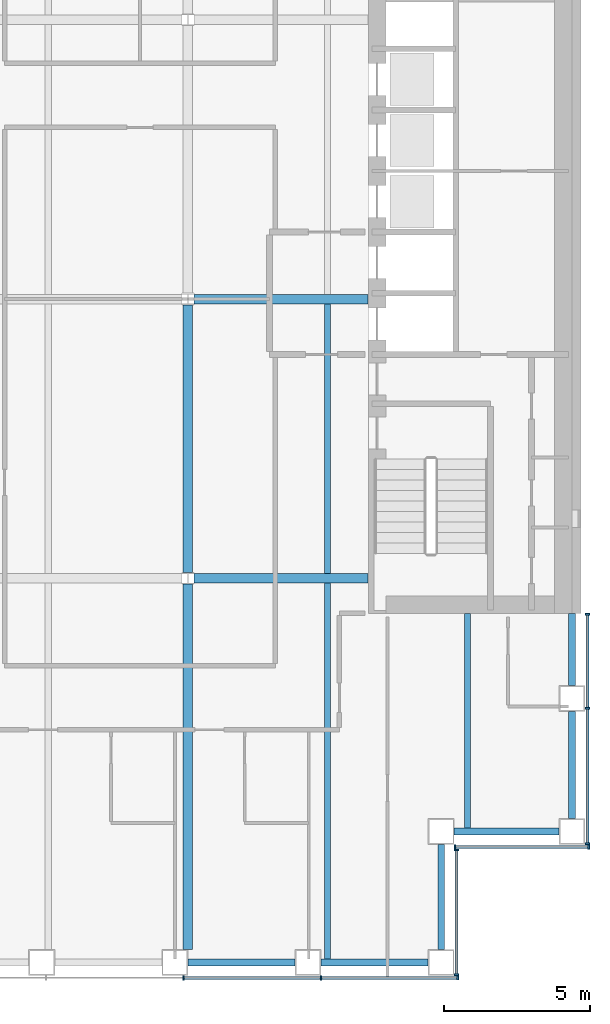
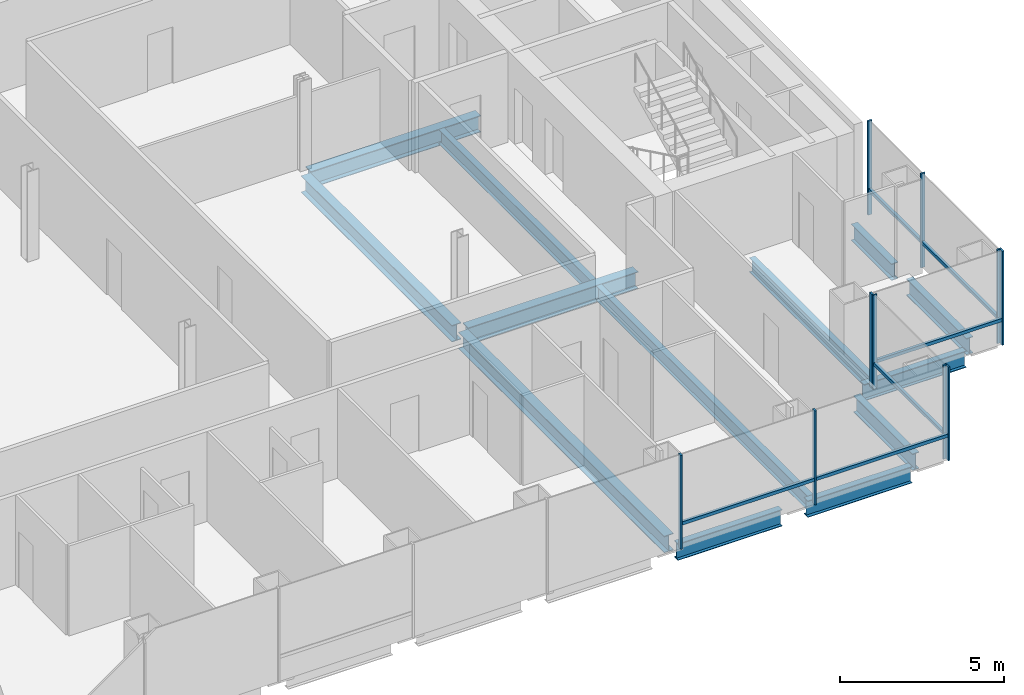
# One storey, part 4 of 16: 16 members, 13 beams, 4 elements without a shape of their own.
"""IFC4 building model written with IfcOpenShell, lengths in metres."""

from ifc_helpers import new_model, si_unit, direction, frame, origin, origin_2d, place, context, subcontext, project, spatial, rectangle, i_section, extrude, material, material_profile, profile_set, type_object, element, aggregate, save


model = new_model("IFC4")

# Units and contexts
model_context = context("Model", 3, precision=1e-05, world=origin(), true_north=direction((0.0, 1.0)))
body_context = subcontext(model_context, "Body", "Model", "MODEL_VIEW")
ifc_project = project(units=[si_unit("LENGTHUNIT", "METRE"), si_unit("AREAUNIT", "SQUARE_METRE"), si_unit("VOLUMEUNIT", "CUBIC_METRE"), si_unit("PLANEANGLEUNIT", "RADIAN"), si_unit("MASSUNIT", "GRAM", prefix="KILO")], contexts=[model_context])

# Site, building, storey
site_placement = place(None, origin())
site = spatial("IfcSite", under=ifc_project, at=site_placement, CompositionType="ELEMENT")
building_placement = place(site_placement, origin())
building = spatial("IfcBuilding", under=site, at=building_placement, Name="Cobrizo Arcos Hotel Tower", CompositionType="ELEMENT")
storey_placement = place(building_placement, frame((0.0, 0.0, 92.5)))
storey = spatial("IfcBuildingStorey", under=building, at=storey_placement, Name="L22", CompositionType="ELEMENT", Elevation=92.5)

# Curtain wall, members
ifc_material_1 = material(Name="Aluminium 6063-T6 anodised bronze", Category="aluminium")
curtain_wall_type = type_object("IfcCurtainWallType", Name="CW-A guest facade", PredefinedType="NOTDEFINED", material=ifc_material_1)
curtain_wall_1_placement = place(storey_placement, origin())
curtain_wall_1 = element("IfcCurtainWall", 1, at=curtain_wall_1_placement, inside=storey, type_object=curtain_wall_type, Name="CW-A L22 S face", PredefinedType="NOTDEFINED")
ifc_material_profile_1 = material_profile(ifc_material_1, rectangle(XDim=0.14990234375, YDim=0.06005859375, at=origin_2d()), Name="CW-A mullion 150x60")
ifc_profile_set_1 = profile_set([ifc_material_profile_1], Name="Aluminium 6063-T6 anodised bronze")
member_type_1 = type_object("IfcMemberType", Name="CW-A mullion 150x60", PredefinedType="MULLION", material=ifc_profile_set_1)
member_1_placement = place(storey_placement, frame((9.449951171875, -23.324951171875, 0.0), z_axis=(0.0, 0.0, 1.0), x_axis=(0.0, -1.0, 0.0)))
member_1 = element("IfcMember", 2, at=member_1_placement, type_object=member_type_1, Name="CW-A mullion 7", PredefinedType="MULLION", context=body_context, shape_type="SweptSolid", body=[
    extrude(rectangle(XDim=0.14990234375, YDim=0.06005859375, at=origin_2d()), origin(), (0.0, 0.0, 1.0), 3.5),
])
member_2_placement = place(storey_placement, frame((14.175048828125, -23.324951171875, 0.0), z_axis=(0.0, 0.0, 1.0), x_axis=(0.0, -1.0, 0.0)))
member_2 = element("IfcMember", 3, at=member_2_placement, type_object=member_type_1, Name="CW-A mullion 8", PredefinedType="MULLION", context=body_context, shape_type="SweptSolid", body=[
    extrude(rectangle(XDim=0.14990234375, YDim=0.06005859375, at=origin_2d()), origin(), (0.0, 0.0, 1.0), 3.5),
])
member_3_placement = place(storey_placement, frame((18.8701171875, -23.324951171875, 0.0), z_axis=(0.0, 0.0, 1.0), x_axis=(0.0, -1.0, 0.0)))
member_3 = element("IfcMember", 4, at=member_3_placement, type_object=member_type_1, Name="CW-A mullion 9", PredefinedType="MULLION", context=body_context, shape_type="SweptSolid", body=[
    extrude(rectangle(XDim=0.14990234375, YDim=0.06005859375, at=origin_2d()), origin(), (0.0, 0.0, 1.0), 3.5),
])

curtain_wall_2_placement = place(storey_placement, origin())
curtain_wall_2 = element("IfcCurtainWall", 5, at=curtain_wall_2_placement, inside=storey, type_object=curtain_wall_type, Name="CW-A L22 E face", PredefinedType="NOTDEFINED")
member_4_placement = place(storey_placement, frame((18.824951171875, -23.219970703125, 0.0), z_axis=(0.0, 0.0, 1.0), x_axis=(1.0, 0.0, 0.0)))
member_4 = element("IfcMember", 6, at=member_4_placement, type_object=member_type_1, Name="CW-A mullion 1", PredefinedType="MULLION", context=body_context, shape_type="SweptSolid", body=[
    extrude(rectangle(XDim=0.14990234375, YDim=0.06005859375, at=origin_2d()), origin(), (0.0, 0.0, 1.0), 3.5),
])
member_5_placement = place(storey_placement, frame((18.824951171875, -18.929931640625, 0.0), z_axis=(0.0, 0.0, 1.0), x_axis=(1.0, 0.0, 0.0)))
member_5 = element("IfcMember", 7, at=member_5_placement, type_object=member_type_1, Name="CW-A mullion 2", PredefinedType="MULLION", context=body_context, shape_type="SweptSolid", body=[
    extrude(rectangle(XDim=0.14990234375, YDim=0.06005859375, at=origin_2d()), origin(), (0.0, 0.0, 1.0), 3.5),
])

curtain_wall_3_placement = place(storey_placement, origin())
curtain_wall_3 = element("IfcCurtainWall", 8, at=curtain_wall_3_placement, inside=storey, type_object=curtain_wall_type, Name="CW-A L22 S face", PredefinedType="NOTDEFINED")
member_6_placement = place(storey_placement, frame((18.780029296875, -18.824951171875, 0.0), z_axis=(0.0, 0.0, 1.0), x_axis=(0.0, -1.0, 0.0)))
member_6 = element("IfcMember", 9, at=member_6_placement, type_object=member_type_1, Name="CW-A mullion 1", PredefinedType="MULLION", context=body_context, shape_type="SweptSolid", body=[
    extrude(rectangle(XDim=0.14990234375, YDim=0.06005859375, at=origin_2d()), origin(), (0.0, 0.0, 1.0), 3.5),
])
member_7_placement = place(storey_placement, frame((23.3701171875, -18.824951171875, 0.0), z_axis=(0.0, 0.0, 1.0), x_axis=(0.0, -1.0, 0.0)))
member_7 = element("IfcMember", 10, at=member_7_placement, type_object=member_type_1, Name="CW-A mullion 2", PredefinedType="MULLION", context=body_context, shape_type="SweptSolid", body=[
    extrude(rectangle(XDim=0.14990234375, YDim=0.06005859375, at=origin_2d()), origin(), (0.0, 0.0, 1.0), 3.5),
])

curtain_wall_4_placement = place(storey_placement, origin())
curtain_wall_4 = element("IfcCurtainWall", 11, at=curtain_wall_4_placement, inside=storey, type_object=curtain_wall_type, Name="CW-A L22 E face", PredefinedType="NOTDEFINED")
member_8_placement = place(storey_placement, frame((23.324951171875, -18.719970703125, 0.0), z_axis=(0.0, 0.0, 1.0), x_axis=(1.0, 0.0, 0.0)))
member_8 = element("IfcMember", 12, at=member_8_placement, type_object=member_type_1, Name="CW-A mullion 1", PredefinedType="MULLION", context=body_context, shape_type="SweptSolid", body=[
    extrude(rectangle(XDim=0.14990234375, YDim=0.06005859375, at=origin_2d()), origin(), (0.0, 0.0, 1.0), 3.5),
])
member_9_placement = place(storey_placement, frame((23.324951171875, -14.0625, 0.0), z_axis=(0.0, 0.0, 1.0), x_axis=(1.0, 0.0, 0.0)))
member_9 = element("IfcMember", 13, at=member_9_placement, type_object=member_type_1, Name="CW-A mullion 2", PredefinedType="MULLION", context=body_context, shape_type="SweptSolid", body=[
    extrude(rectangle(XDim=0.14990234375, YDim=0.06005859375, at=origin_2d()), origin(), (0.0, 0.0, 1.0), 3.5),
])
member_10_placement = place(storey_placement, frame((23.324951171875, -10.830078125, 0.0), z_axis=(0.0, 0.0, 1.0), x_axis=(1.0, 0.0, 0.0)))
member_10 = element("IfcMember", 14, at=member_10_placement, type_object=member_type_1, Name="CW-A mullion 3", PredefinedType="MULLION", context=body_context, shape_type="SweptSolid", body=[
    extrude(rectangle(XDim=0.14990234375, YDim=0.06005859375, at=origin_2d()), origin(), (0.0, 0.0, 1.0), 3.5),
])

# Member
ifc_material_profile_2 = material_profile(ifc_material_1, rectangle(XDim=0.10009765625, YDim=0.1201171875, at=origin_2d()), Name="CW-A transom 120x100")
ifc_profile_set_2 = profile_set([ifc_material_profile_2], Name="Aluminium 6063-T6 anodised bronze")
member_type_2 = type_object("IfcMemberType", Name="CW-A transom 120x100", PredefinedType="USERDEFINED", material=ifc_profile_set_2)
member_11_placement = place(storey_placement, frame((9.47998046875, -23.324951171875, 0.929931640625), z_axis=(1.0, 0.0, 0.0), x_axis=(0.0, 1.0, 0.0)))
member_11 = element("IfcMember", 15, at=member_11_placement, type_object=member_type_2, Name="CW-A transom 889", ObjectType="TRANSOM", PredefinedType="USERDEFINED", context=body_context, shape_type="SweptSolid", body=[
    extrude(rectangle(XDim=0.10009765625, YDim=0.1201171875, at=origin_2d()), origin(), (0.0, 0.0, 1.0), 4.6650390625),
])

member_12_placement = place(storey_placement, frame((14.205078125, -23.324951171875, 0.929931640625), z_axis=(1.0, 0.0, 0.0), x_axis=(0.0, 1.0, 0.0)))
member_12 = element("IfcMember", 16, at=member_12_placement, type_object=member_type_2, Name="CW-A transom 890", ObjectType="TRANSOM", PredefinedType="USERDEFINED", context=body_context, shape_type="SweptSolid", body=[
    extrude(rectangle(XDim=0.10009765625, YDim=0.1201171875, at=origin_2d()), origin(), (0.0, 0.0, 1.0), 4.635009765625),
])

aggregate(curtain_wall_1, [member_1, member_2, member_3, member_11, member_12])

member_13_placement = place(storey_placement, frame((18.824951171875, -23.18994140625, 0.929931640625), z_axis=(0.0, 1.0, 0.0), x_axis=(-1.0, 0.0, 0.0)))
member_13 = element("IfcMember", 17, at=member_13_placement, type_object=member_type_2, Name="CW-A transom 891", ObjectType="TRANSOM", PredefinedType="USERDEFINED", context=body_context, shape_type="SweptSolid", body=[
    extrude(rectangle(XDim=0.10009765625, YDim=0.1201171875, at=origin_2d()), origin(), (0.0, 0.0, 1.0), 4.22998046875),
])

aggregate(curtain_wall_2, [member_4, member_5, member_13])

member_14_placement = place(storey_placement, frame((18.81005859375, -18.824951171875, 0.929931640625), z_axis=(1.0, 0.0, 0.0), x_axis=(0.0, 1.0, 0.0)))
member_14 = element("IfcMember", 18, at=member_14_placement, type_object=member_type_2, Name="CW-A transom 892", ObjectType="TRANSOM", PredefinedType="USERDEFINED", context=body_context, shape_type="SweptSolid", body=[
    extrude(rectangle(XDim=0.10009765625, YDim=0.1201171875, at=origin_2d()), origin(), (0.0, 0.0, 1.0), 4.530029296875),
])

aggregate(curtain_wall_3, [member_6, member_7, member_14])

member_15_placement = place(storey_placement, frame((23.324951171875, -18.68994140625, 0.929931640625), z_axis=(0.0, 1.0, 0.0), x_axis=(-1.0, 0.0, 0.0)))
member_15 = element("IfcMember", 19, at=member_15_placement, type_object=member_type_2, Name="CW-A transom 893", ObjectType="TRANSOM", PredefinedType="USERDEFINED", context=body_context, shape_type="SweptSolid", body=[
    extrude(rectangle(XDim=0.10009765625, YDim=0.1201171875, at=origin_2d()), origin(), (0.0, 0.0, 1.0), 4.597412109375),
])

member_16_placement = place(storey_placement, frame((23.324951171875, -14.032470703125, 0.929931640625), z_axis=(0.0, 1.0, 0.0), x_axis=(-1.0, 0.0, 0.0)))
member_16 = element("IfcMember", 20, at=member_16_placement, type_object=member_type_2, Name="CW-A transom 894", ObjectType="TRANSOM", PredefinedType="USERDEFINED", context=body_context, shape_type="SweptSolid", body=[
    extrude(rectangle(XDim=0.10009765625, YDim=0.1201171875, at=origin_2d()), origin(), (0.0, 0.0, 1.0), 3.17236328125),
])

aggregate(curtain_wall_4, [member_8, member_9, member_10, member_15, member_16])

# Beams
ifc_material_2 = material(Name="Steel ASTM A992 Grade 50", Category="steel")
ifc_material_profile_3 = material_profile(ifc_material_2, i_section(OverallWidth=0.209228515625, OverallDepth=0.533447265625, WebThickness=0.01025390625, FlangeThickness=0.015625, at=origin_2d()), Name="W21X62")
ifc_profile_set_3 = profile_set([ifc_material_profile_3], Name="Steel ASTM A992 Grade 50")
beam_type_1 = type_object("IfcBeamType", Name="W21X62 joist", PredefinedType="JOIST", material=ifc_profile_set_3)
beam_1_placement = place(storey_placement, frame((14.39990234375, -22.7099609375, -0.416748046875), z_axis=(0.0, 1.0, 0.0), x_axis=(-1.0, 0.0, 0.0)))
element("IfcBeam", 21, at=beam_1_placement, inside=storey, type_object=beam_type_1, Name="Floor joist J1, L22, no. 015", PredefinedType="JOIST", context=body_context, shape_type="SweptSolid", body=[
    extrude(i_section(OverallWidth=0.209228515625, OverallDepth=0.533447265625, WebThickness=0.01025390625, FlangeThickness=0.015625, at=origin_2d()), origin(), (0.0, 0.0, 1.0), 12.946044921875),
])
beam_2_placement = place(storey_placement, frame((14.39990234375, -9.43603515625, -0.416748046875), z_axis=(0.0, 1.0, 0.0), x_axis=(-1.0, 0.0, 0.0)))
element("IfcBeam", 22, at=beam_2_placement, inside=storey, type_object=beam_type_1, Name="Floor joist J1, L22, no. 016", PredefinedType="JOIST", context=body_context, shape_type="SweptSolid", body=[
    extrude(i_section(OverallWidth=0.209228515625, OverallDepth=0.533447265625, WebThickness=0.01025390625, FlangeThickness=0.015625, at=origin_2d()), origin(), (0.0, 0.0, 1.0), 9.272216796875),
])
beam_3_placement = place(storey_placement, frame((19.199951171875, -18.2099609375, -0.416748046875), z_axis=(0.0, 1.0, 0.0), x_axis=(-1.0, 0.0, 0.0)))
element("IfcBeam", 23, at=beam_3_placement, inside=storey, type_object=beam_type_1, Name="Floor joist J1, L22, no. 019", PredefinedType="JOIST", context=body_context, shape_type="SweptSolid", body=[
    extrude(i_section(OverallWidth=0.209228515625, OverallDepth=0.533447265625, WebThickness=0.01025390625, FlangeThickness=0.015625, at=origin_2d()), origin(), (0.0, 0.0, 1.0), 7.39990234375),
])
ifc_material_profile_4 = material_profile(ifc_material_2, i_section(OverallWidth=0.32763671875, OverallDepth=0.622314453125, WebThickness=0.015380859375, FlangeThickness=0.0244140625, at=origin_2d()), Name="W24X131")
ifc_profile_set_4 = profile_set([ifc_material_profile_4], Name="Steel ASTM A992 Grade 50")
beam_type_2 = type_object("IfcBeamType", Name="W24X131 girder", PredefinedType="BEAM", material=ifc_profile_set_4)
for number, where, z_axis, x_axis, name in (
    (24, (9.79931640625, -9.60009765625, -0.461181640625), (1.0, 0.0, 0.0), (0.0, 1.0, 0.0), "Floor girder G1, L22, no. 004"),
    (25, (9.79931640625, 0.0, -0.461181640625), (1.0, 0.0, 0.0), (0.0, 1.0, 0.0), "Floor girder G1, L22, no. 008"),
):
    element("IfcBeam", number, at=place(storey_placement, frame(where, z_axis=z_axis, x_axis=x_axis)), inside=storey, type_object=beam_type_2, Name=name, PredefinedType="BEAM", context=body_context, shape_type="SweptSolid", body=[
        extrude(i_section(OverallWidth=0.32763671875, OverallDepth=0.622314453125, WebThickness=0.015380859375, FlangeThickness=0.0244140625, at=origin_2d()), origin(), (0.0, 0.0, 1.0), 5.99072265625),
    ])
beam_4_placement = place(storey_placement, frame((9.60009765625, -22.35009765625, -0.461181640625), z_axis=(0.0, 1.0, 0.0), x_axis=(-1.0, 0.0, 0.0)))
element("IfcBeam", 26, at=beam_4_placement, inside=storey, type_object=beam_type_2, Name="Floor girder G1, L22, no. 021", PredefinedType="BEAM", context=body_context, shape_type="SweptSolid", body=[
    extrude(i_section(OverallWidth=0.32763671875, OverallDepth=0.622314453125, WebThickness=0.015380859375, FlangeThickness=0.0244140625, at=origin_2d()), origin(), (0.0, 0.0, 1.0), 12.55078125),
])
beam_5_placement = place(storey_placement, frame((9.60009765625, -9.400634765625, -0.461181640625), z_axis=(0.0, 1.0, 0.0), x_axis=(-1.0, 0.0, 0.0)))
element("IfcBeam", 27, at=beam_5_placement, inside=storey, type_object=beam_type_2, Name="Floor girder G1, L22, no. 022", PredefinedType="BEAM", context=body_context, shape_type="SweptSolid", body=[
    extrude(i_section(OverallWidth=0.32763671875, OverallDepth=0.622314453125, WebThickness=0.015380859375, FlangeThickness=0.0244140625, at=origin_2d()), origin(), (0.0, 0.0, 1.0), 9.201171875),
])
ifc_material_profile_5 = material_profile(ifc_material_2, i_section(OverallWidth=0.23046875, OverallDepth=0.6171875, WebThickness=0.01318359375, FlangeThickness=0.022216796875, at=origin_2d()), Name="W24X94")
ifc_profile_set_5 = profile_set([ifc_material_profile_5], Name="Steel ASTM A992 Grade 50")
beam_type_3 = type_object("IfcBeamType", Name="W24X94 spandrel", PredefinedType="SPANDREL", material=ifc_profile_set_5)
beam_6_placement = place(storey_placement, frame((9.60009765625, -22.800048828125, -0.45849609375), z_axis=(1.0, 0.0, 0.0), x_axis=(0.0, 1.0, 0.0)))
element("IfcBeam", 28, at=beam_6_placement, inside=storey, type_object=beam_type_3, Name="Spandrel beam W24X94, L22, no. 007", PredefinedType="SPANDREL", context=body_context, shape_type="SweptSolid", body=[
    extrude(i_section(OverallWidth=0.23046875, OverallDepth=0.6171875, WebThickness=0.01318359375, FlangeThickness=0.022216796875, at=origin_2d()), origin(), (0.0, 0.0, 1.0), 3.6748046875),
])
beam_7_placement = place(storey_placement, frame((14.175048828125, -22.800048828125, -0.45849609375), z_axis=(1.0, 0.0, 0.0), x_axis=(0.0, 1.0, 0.0)))
element("IfcBeam", 29, at=beam_7_placement, inside=storey, type_object=beam_type_3, Name="Spandrel beam W24X94, L22, no. 008", PredefinedType="SPANDREL", context=body_context, shape_type="SweptSolid", body=[
    extrude(i_section(OverallWidth=0.23046875, OverallDepth=0.6171875, WebThickness=0.01318359375, FlangeThickness=0.022216796875, at=origin_2d()), origin(), (0.0, 0.0, 1.0), 3.675048828125),
])
for number, where, z_axis, x_axis, name in (
    (30, (18.300048828125, -22.35009765625, -0.45849609375), (0.0, 1.0, 0.0), (-1.0, 0.0, 0.0), "Spandrel beam W24X94, L22, no. 009"),
    (31, (18.75, -18.300048828125, -0.45849609375), (1.0, 0.0, 0.0), (0.0, 1.0, 0.0), "Spandrel beam W24X94, L22, no. 010"),
):
    element("IfcBeam", number, at=place(storey_placement, frame(where, z_axis=z_axis, x_axis=x_axis)), inside=storey, type_object=beam_type_3, Name=name, PredefinedType="SPANDREL", context=body_context, shape_type="SweptSolid", body=[
        extrude(i_section(OverallWidth=0.23046875, OverallDepth=0.6171875, WebThickness=0.01318359375, FlangeThickness=0.022216796875, at=origin_2d()), origin(), (0.0, 0.0, 1.0), 3.60009765625),
    ])
beam_8_placement = place(storey_placement, frame((22.800048828125, -17.85009765625, -0.45849609375), z_axis=(0.0, 1.0, 0.0), x_axis=(-1.0, 0.0, 0.0)))
element("IfcBeam", 32, at=beam_8_placement, inside=storey, type_object=beam_type_3, Name="Spandrel beam W24X94, L22, no. 011", PredefinedType="SPANDREL", context=body_context, shape_type="SweptSolid", body=[
    extrude(i_section(OverallWidth=0.23046875, OverallDepth=0.6171875, WebThickness=0.01318359375, FlangeThickness=0.022216796875, at=origin_2d()), origin(), (0.0, 0.0, 1.0), 3.675048828125),
])
beam_9_placement = place(storey_placement, frame((22.800048828125, -13.27490234375, -0.45849609375), z_axis=(0.0, 1.0, 0.0), x_axis=(-1.0, 0.0, 0.0)))
element("IfcBeam", 33, at=beam_9_placement, inside=storey, type_object=beam_type_3, Name="Spandrel beam W24X94, L22, no. 012", PredefinedType="SPANDREL", context=body_context, shape_type="SweptSolid", body=[
    extrude(i_section(OverallWidth=0.23046875, OverallDepth=0.6171875, WebThickness=0.01318359375, FlangeThickness=0.022216796875, at=origin_2d()), origin(), (0.0, 0.0, 1.0), 2.46484375),
])

save(model, "model.ifc")
